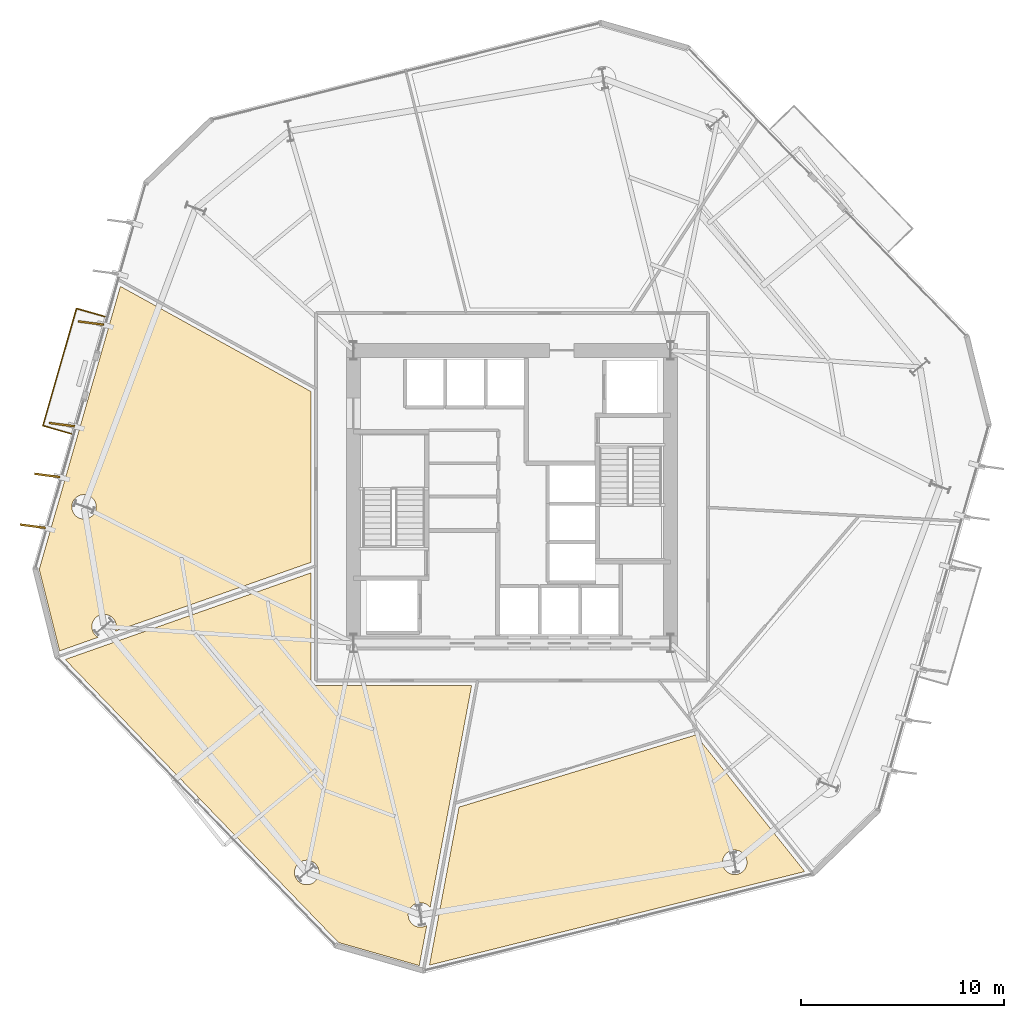
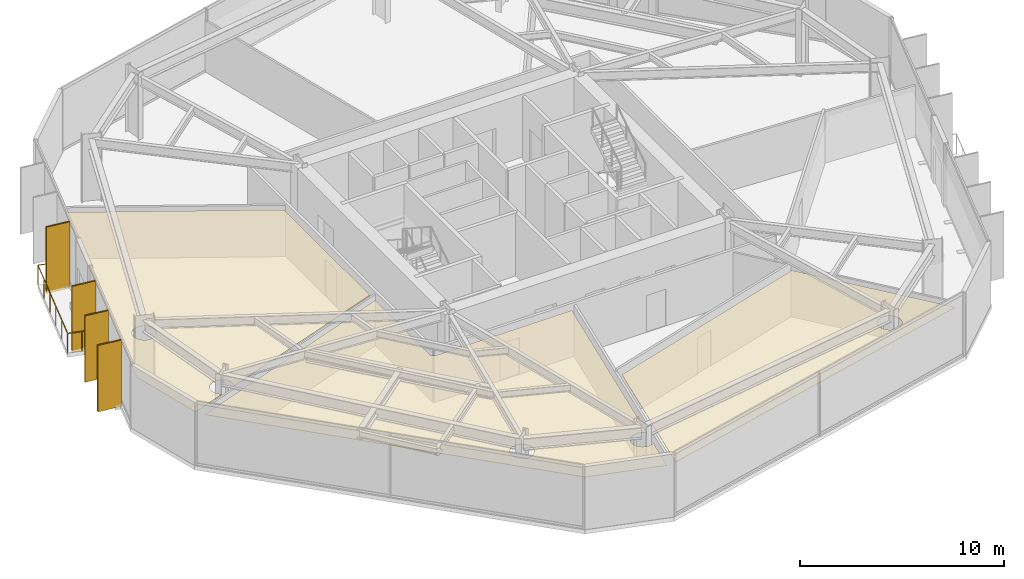
# One storey, part 8 of 10: 7 coverings, 4 shading devices, 1 railing.
"""IFC4 building model written with IfcOpenShell, lengths in metres."""

from ifc_helpers import new_model, si_unit, direction, frame, origin, origin_2d, place, context, subcontext, project, spatial, polyline, rectangle, circle, outline, extrude, material, layer, layer_set, type_object, element, save


model = new_model("IFC4")

# Units and contexts
model_context = context("Model", 3, precision=1e-05, world=origin(), true_north=direction((0.0, 1.0)))
body_context = subcontext(model_context, "Body", "Model", "MODEL_VIEW")
ifc_project = project(units=[si_unit("LENGTHUNIT", "METRE"), si_unit("AREAUNIT", "SQUARE_METRE"), si_unit("VOLUMEUNIT", "CUBIC_METRE"), si_unit("PLANEANGLEUNIT", "RADIAN"), si_unit("MASSUNIT", "GRAM", prefix="KILO")], contexts=[model_context])

# Site, building, storey
site_placement = place(None, origin())
site = spatial("IfcSite", under=ifc_project, at=site_placement, CompositionType="ELEMENT")
building_placement = place(site_placement, origin())
building = spatial("IfcBuilding", under=site, at=building_placement, Name="Kranzbogen Civic Tower", CompositionType="ELEMENT")
storey_placement = place(building_placement, frame((0.0, 0.0, 76.0)))
storey = spatial("IfcBuildingStorey", under=building, at=storey_placement, Name="L18", CompositionType="ELEMENT", Elevation=76.0)

# Coverings
ifc_material_1 = material(Name="Pale Anodised Aluminium", Category="aluminium")
ifc_layer_1 = layer(ifc_material_1, 0.02490234375, Name="Pale Anodised Aluminium")
ifc_layer_set_1 = layer_set([ifc_layer_1], Name="Pale Anodised Aluminium")
covering_type_1 = type_object("IfcCoveringType", Name="Anodised Aluminium Vertical Fin Cladding 25 mm", PredefinedType="CLADDING", material=ifc_layer_set_1)
for number, where, z_axis, x_axis, name in (
    (1, (4.285888671875, 33.548095703125, -0.139892578125), (0.0, 0.0, 1.0), (-0.991553862811, 0.129695555608, 0.0), "L18 vertical fin pale-metal cladding F3-3"),
    (2, (2.85205078125, 28.550048828125, -0.139892578125), (0.0, 0.0, 1.0), (-0.991553862811, 0.129695555608, 0.0), "L18 vertical fin pale-metal cladding F3-5"),
    (3, (2.135009765625, 26.050048828125, -0.139892578125), (0.0, 0.0, 1.0), (-0.991553862811, 0.129695555608, 0.0), "L18 vertical fin pale-metal cladding F3-6"),
    (4, (1.4189453125, 23.551025390625, -0.139892578125), (0.0, 0.0, 1.0), (-0.991553862811, 0.129695555608, 0.0), "L18 vertical fin pale-metal cladding F3-7"),
):
    element("IfcCovering", number, at=place(storey_placement, frame(where, z_axis=z_axis, x_axis=x_axis)), inside=storey, type_object=covering_type_1, Name=name, PredefinedType="CLADDING", context=body_context, shape_type="SweptSolid", body=[
        extrude(rectangle(XDim=1.25, YDim=0.10009765625, at=origin_2d()), origin(), (0.0, 0.0, 1.0), 3.9599609375),
    ])

# Shading devices
ifc_material_2 = material(Name="Anodised Bronze Aluminium", Category="aluminium")
shading_device_type = type_object("IfcShadingDeviceType", Name="Anodised Bronze Vertical Facade Fin 1250x80", PredefinedType="USERDEFINED", material=ifc_material_2)
for number, where, z_axis, x_axis, name in (
    (5, (4.285888671875, 33.548095703125, -0.139892578125), (0.0, 0.0, 1.0), (-0.991553862811, 0.129695555608, 0.0), "L18 vertical exterior shading fin F3-3"),
    (6, (2.85205078125, 28.550048828125, -0.139892578125), (0.0, 0.0, 1.0), (-0.991553862811, 0.129695555608, 0.0), "L18 vertical exterior shading fin F3-5"),
    (7, (2.135009765625, 26.050048828125, -0.139892578125), (0.0, 0.0, 1.0), (-0.991553862811, 0.129695555608, 0.0), "L18 vertical exterior shading fin F3-6"),
    (8, (1.4189453125, 23.551025390625, -0.139892578125), (0.0, 0.0, 1.0), (-0.991553862811, 0.129695555608, 0.0), "L18 vertical exterior shading fin F3-7"),
):
    element("IfcShadingDevice", number, at=place(storey_placement, frame(where, z_axis=z_axis, x_axis=x_axis)), inside=storey, type_object=shading_device_type, Name=name, ObjectType="FIN", PredefinedType="USERDEFINED", context=body_context, shape_type="SweptSolid", body=[
        extrude(rectangle(XDim=1.25, YDim=0.080078125, at=origin_2d()), origin(), (0.0, 0.0, 1.0), 3.9599609375),
    ])

# Railing
railing_type = type_object("IfcRailingType", Name="Cantilevered Balcony Glass and Bronze Balustrade 1200", PredefinedType="BALUSTRADE", material=ifc_material_2)
railing_placement = place(storey_placement, frame((4.968017578125, 33.864990234375, 0.0)))
element("IfcRailing", 9, at=railing_placement, inside=storey, type_object=railing_type, Name="L18 exterior terrace balustrade L18-TB2", PredefinedType="BALUSTRADE", context=body_context, shape_type="SweptSolid", body=[
    extrude(circle(Radius=0.02392578125, at=origin_2d()), frame((0.0, 0.0, 1.17578125), z_axis=(-0.961231187892, 0.275743727805, 0.0), x_axis=(-0.275743727805, -0.961231187892, 0.0)), (0.0, 0.0, 1.0), 1.4501953125),
    extrude(circle(Radius=0.02392578125, at=origin_2d()), frame((-1.39404296875, 0.39990234375, 1.17578125), z_axis=(-0.275704560134, -0.961242422868, 0.0), x_axis=(0.961242422868, -0.275704560134, 0.0)), (0.0, 0.0, 1.0), 5.999267578125),
    extrude(circle(Radius=0.02392578125, at=origin_2d()), frame((-3.048095703125, -5.366943359375, 1.17578125), z_axis=(0.961186557825, -0.275899258892, 0.0), x_axis=(0.275899258892, 0.961186557825, 0.0)), (0.0, 0.0, 1.0), 1.450439453125),
    extrude(circle(Radius=0.02099609375, at=origin_2d()), origin(), (0.0, 0.0, 1.0), 1.15185546875),
    extrude(circle(Radius=0.02099609375, at=origin_2d()), frame((-0.697021484375, 0.199951171875, 0.0)), (0.0, 0.0, 1.0), 1.15185546875),
    extrude(circle(Radius=0.02099609375, at=origin_2d()), frame((-1.39404296875, 0.39990234375, 0.0)), (0.0, 0.0, 1.0), 1.15185546875),
    extrude(circle(Radius=0.02099609375, at=origin_2d()), frame((-1.724853515625, -0.75341796875, 0.0)), (0.0, 0.0, 1.0), 1.15185546875),
    extrude(circle(Radius=0.02099609375, at=origin_2d()), frame((-2.0556640625, -1.90673828125, 0.0)), (0.0, 0.0, 1.0), 1.15185546875),
    extrude(circle(Radius=0.02099609375, at=origin_2d()), frame((-2.386474609375, -3.060302734375, 0.0)), (0.0, 0.0, 1.0), 1.15185546875),
    extrude(circle(Radius=0.02099609375, at=origin_2d()), frame((-2.71728515625, -4.213623046875, 0.0)), (0.0, 0.0, 1.0), 1.15185546875),
    extrude(circle(Radius=0.02099609375, at=origin_2d()), frame((-3.048095703125, -5.366943359375, 0.0)), (0.0, 0.0, 1.0), 1.15185546875),
    extrude(circle(Radius=0.02099609375, at=origin_2d()), frame((-2.35107421875, -5.56689453125, 0.0)), (0.0, 0.0, 1.0), 1.15185546875),
    extrude(circle(Radius=0.02099609375, at=origin_2d()), frame((-1.654052734375, -5.76708984375, 0.0)), (0.0, 0.0, 1.0), 1.15185546875),
])

# Coverings
ifc_material_3 = material(Name="Perforated Acoustic Gypsum Ceiling")
ifc_layer_2 = layer(ifc_material_3, 0.02490234375, Name="Perforated Acoustic Gypsum Ceiling")
ifc_layer_set_2 = layer_set([ifc_layer_2], Name="Perforated Acoustic Gypsum Ceiling")
covering_type_2 = type_object("IfcCoveringType", Name="Perforated Acoustic Mineral Ceiling Tile 25 mm", PredefinedType="CEILING", material=ifc_layer_set_2)
covering_1_placement = place(storey_placement, frame((0.0, 0.0, 2.89990234375)))
element("IfcCovering", 10, at=covering_1_placement, inside=storey, type_object=covering_type_2, Name="L18 Visitor Concierge Foyer acoustic ceiling", PredefinedType="CEILING", context=body_context, shape_type="SweptSolid", body=[
    extrude(outline(polyline([(3.01611328125, 16.993896484375), (15.10498046875, 21.25390625), (15.10498046875, 15.949951171875), (15.10498046875, 15.94091796875), (15.10595703125, 15.93505859375), (15.10693359375, 15.9169921875), (15.10791015625, 15.910888671875), (15.112060546875, 15.89404296875), (15.113037109375, 15.886962890625), (15.117919921875, 15.8701171875), (15.1201171875, 15.864013671875), (15.126953125, 15.847900390625), (15.1298828125, 15.842041015625), (15.137939453125, 15.826904296875), (15.14208984375, 15.821044921875), (15.15087890625, 15.806884765625), (15.155029296875, 15.802001953125), (15.166015625, 15.7880859375), (15.1708984375, 15.782958984375), (15.18310546875, 15.77099609375), (15.18798828125, 15.76611328125), (15.201904296875, 15.7548828125), (15.20703125, 15.7509765625), (15.220947265625, 15.741943359375), (15.22705078125, 15.738037109375), (15.241943359375, 15.72998046875), (15.248046875, 15.72705078125), (15.263916015625, 15.719970703125), (15.27001953125, 15.718017578125), (15.287109375, 15.712890625), (15.2939453125, 15.7119140625), (15.31103515625, 15.7080078125), (15.31689453125, 15.70703125), (15.3349609375, 15.7060546875), (15.341064453125, 15.705078125), (15.35009765625, 15.705078125), (23.012939453125, 15.705078125), (20.971923828125, 4.7900390625), (20.9599609375, 4.805908203125), (20.9208984375, 4.85009765625), (20.876953125, 4.888916015625), (20.8291015625, 4.925048828125), (20.779052734375, 4.955078125), (20.72509765625, 4.97998046875), (20.669921875, 5.0), (20.612060546875, 5.013916015625), (20.553955078125, 5.02294921875), (20.4951171875, 5.02587890625), (20.43603515625, 5.02294921875), (20.3779296875, 5.013916015625), (20.320068359375, 5.0), (20.264892578125, 4.97998046875), (20.2109375, 4.955078125), (20.160888671875, 4.925048828125), (20.113037109375, 4.888916015625), (20.069091796875, 4.85009765625), (20.030029296875, 4.805908203125), (19.993896484375, 4.758056640625), (19.964111328125, 4.7080078125), (19.93896484375, 4.654052734375), (19.9189453125, 4.59912109375), (19.905029296875, 4.541015625), (19.89599609375, 4.48291015625), (19.89306640625, 4.424072265625), (19.89599609375, 4.364990234375), (19.905029296875, 4.306884765625), (19.9189453125, 4.2490234375), (19.93896484375, 4.194091796875), (19.964111328125, 4.139892578125), (19.993896484375, 4.090087890625), (20.030029296875, 4.0419921875), (20.069091796875, 3.998046875), (20.113037109375, 3.958984375), (20.160888671875, 3.923095703125), (20.2109375, 3.89306640625), (20.264892578125, 3.867919921875), (20.320068359375, 3.847900390625), (20.3779296875, 3.833984375), (20.43603515625, 3.824951171875), (20.4951171875, 3.822021484375), (20.553955078125, 3.824951171875), (20.612060546875, 3.833984375), (20.669921875, 3.847900390625), (20.72509765625, 3.867919921875), (20.779052734375, 3.89306640625), (20.80810546875, 3.909912109375), (20.43701171875, 1.930908203125), (16.4619140625, 3.071044921875), (3.01611328125, 16.993896484375)]), holes=[polyline([(15.45703125, 6.285888671875), (15.431884765625, 6.23193359375), (15.402099609375, 6.181884765625), (15.365966796875, 6.134033203125), (15.326904296875, 6.090087890625), (15.282958984375, 6.051025390625), (15.235107421875, 6.014892578125), (15.18505859375, 5.985107421875), (15.131103515625, 5.9599609375), (15.075927734375, 5.93994140625), (15.01806640625, 5.926025390625), (14.9599609375, 5.9169921875), (14.90087890625, 5.9140625), (14.842041015625, 5.9169921875), (14.783935546875, 5.926025390625), (14.72607421875, 5.93994140625), (14.6708984375, 5.9599609375), (14.616943359375, 5.985107421875), (14.56689453125, 6.014892578125), (14.51904296875, 6.051025390625), (14.47509765625, 6.090087890625), (14.43603515625, 6.134033203125), (14.39990234375, 6.181884765625), (14.3701171875, 6.23193359375), (14.344970703125, 6.285888671875), (14.324951171875, 6.341064453125), (14.31103515625, 6.39892578125), (14.302001953125, 6.45703125), (14.299072265625, 6.51611328125), (14.302001953125, 6.574951171875), (14.31103515625, 6.633056640625), (14.324951171875, 6.69091796875), (14.344970703125, 6.74609375), (14.3701171875, 6.800048828125), (14.39990234375, 6.85009765625), (14.43603515625, 6.89794921875), (14.47509765625, 6.94189453125), (14.51904296875, 6.98095703125), (14.56689453125, 7.01708984375), (14.616943359375, 7.047119140625), (14.6708984375, 7.072021484375), (14.72607421875, 7.092041015625), (14.783935546875, 7.10595703125), (14.842041015625, 7.114990234375), (14.90087890625, 7.117919921875), (14.9599609375, 7.114990234375), (15.01806640625, 7.10595703125), (15.075927734375, 7.092041015625), (15.131103515625, 7.072021484375), (15.18505859375, 7.047119140625), (15.235107421875, 7.01708984375), (15.282958984375, 6.98095703125), (15.326904296875, 6.94189453125), (15.365966796875, 6.89794921875), (15.402099609375, 6.85009765625), (15.431884765625, 6.800048828125), (15.45703125, 6.74609375), (15.47705078125, 6.69091796875), (15.490966796875, 6.633056640625), (15.5, 6.574951171875), (15.5029296875, 6.51611328125), (15.5, 6.45703125), (15.490966796875, 6.39892578125), (15.47705078125, 6.341064453125), (15.45703125, 6.285888671875)])]), origin(), (0.0, 0.0, 1.0), 0.025146484375),
])
covering_2_placement = place(storey_placement, frame((0.0, 0.0, 2.89990234375)))
element("IfcCovering", 11, at=covering_2_placement, inside=storey, type_object=covering_type_2, Name="L18 Legal Counsel Office acoustic ceiling", PredefinedType="CEILING", context=body_context, shape_type="SweptSolid", body=[
    extrude(outline(polyline([(34.0380859375, 13.281005859375), (39.40087890625, 6.56103515625), (20.94091796875, 1.958984375), (22.39404296875, 9.73095703125), (34.0380859375, 13.281005859375)]), holes=[polyline([(36.513916015625, 6.781982421875), (36.489013671875, 6.72802734375), (36.458984375, 6.677978515625), (36.423095703125, 6.6298828125), (36.384033203125, 6.5859375), (36.340087890625, 6.547119140625), (36.2919921875, 6.510986328125), (36.241943359375, 6.48095703125), (36.18798828125, 6.4560546875), (36.133056640625, 6.43603515625), (36.074951171875, 6.422119140625), (36.01708984375, 6.4130859375), (35.9580078125, 6.409912109375), (35.89892578125, 6.4130859375), (35.841064453125, 6.422119140625), (35.782958984375, 6.43603515625), (35.72802734375, 6.4560546875), (35.674072265625, 6.48095703125), (35.6240234375, 6.510986328125), (35.575927734375, 6.547119140625), (35.531982421875, 6.5859375), (35.492919921875, 6.6298828125), (35.45703125, 6.677978515625), (35.427001953125, 6.72802734375), (35.402099609375, 6.781982421875), (35.382080078125, 6.8369140625), (35.367919921875, 6.89501953125), (35.35888671875, 6.952880859375), (35.35595703125, 7.011962890625), (35.35888671875, 7.071044921875), (35.367919921875, 7.12890625), (35.382080078125, 7.18701171875), (35.402099609375, 7.241943359375), (35.427001953125, 7.2958984375), (35.45703125, 7.345947265625), (35.492919921875, 7.39404296875), (35.531982421875, 7.43798828125), (35.575927734375, 7.47705078125), (35.6240234375, 7.512939453125), (35.674072265625, 7.54296875), (35.72802734375, 7.568115234375), (35.782958984375, 7.587890625), (35.841064453125, 7.60205078125), (35.89892578125, 7.611083984375), (35.9580078125, 7.614013671875), (36.01708984375, 7.611083984375), (36.074951171875, 7.60205078125), (36.133056640625, 7.587890625), (36.18798828125, 7.568115234375), (36.241943359375, 7.54296875), (36.2919921875, 7.512939453125), (36.340087890625, 7.47705078125), (36.384033203125, 7.43798828125), (36.423095703125, 7.39404296875), (36.458984375, 7.345947265625), (36.489013671875, 7.2958984375), (36.513916015625, 7.241943359375), (36.533935546875, 7.18701171875), (36.548095703125, 7.12890625), (36.556884765625, 7.071044921875), (36.56005859375, 7.011962890625), (36.556884765625, 6.952880859375), (36.548095703125, 6.89501953125), (36.533935546875, 6.8369140625), (36.513916015625, 6.781982421875)])]), origin(), (0.0, 0.0, 1.0), 0.025146484375),
])
covering_3_placement = place(storey_placement, frame((0.0, 0.0, 2.89990234375)))
element("IfcCovering", 12, at=covering_3_placement, inside=storey, type_object=covering_type_2, Name="L18 Civic Reference Library acoustic ceiling", PredefinedType="CEILING", context=body_context, shape_type="SweptSolid", body=[
    extrude(outline(polyline([(5.73193359375, 35.35205078125), (15.10498046875, 30.179931640625), (15.10498046875, 21.77294921875), (5.48388671875, 18.383056640625), (5.48388671875, 18.384033203125), (5.50390625, 18.43896484375), (5.51806640625, 18.4970703125), (5.527099609375, 18.554931640625), (5.530029296875, 18.614013671875), (5.527099609375, 18.673095703125), (5.51806640625, 18.73095703125), (5.50390625, 18.7890625), (5.48388671875, 18.843994140625), (5.458984375, 18.89794921875), (5.428955078125, 18.947998046875), (5.39306640625, 18.99609375), (5.35400390625, 19.0400390625), (5.31005859375, 19.0791015625), (5.261962890625, 19.114990234375), (5.2119140625, 19.14501953125), (5.157958984375, 19.169921875), (5.10302734375, 19.18994140625), (5.044921875, 19.2041015625), (4.987060546875, 19.212890625), (4.927978515625, 19.216064453125), (4.868896484375, 19.212890625), (4.81103515625, 19.2041015625), (4.7529296875, 19.18994140625), (4.697998046875, 19.169921875), (4.64404296875, 19.14501953125), (4.593994140625, 19.114990234375), (4.5458984375, 19.0791015625), (4.501953125, 19.0400390625), (4.462890625, 18.99609375), (4.427001953125, 18.947998046875), (4.39697265625, 18.89794921875), (4.3720703125, 18.843994140625), (4.35205078125, 18.7890625), (4.337890625, 18.73095703125), (4.3291015625, 18.673095703125), (4.325927734375, 18.614013671875), (4.3291015625, 18.554931640625), (4.337890625, 18.4970703125), (4.35205078125, 18.43896484375), (4.3720703125, 18.384033203125), (4.39697265625, 18.330078125), (4.427001953125, 18.280029296875), (4.462890625, 18.23193359375), (4.501953125, 18.18798828125), (4.5458984375, 18.14892578125), (4.593994140625, 18.113037109375), (4.639892578125, 18.0859375), (2.739990234375, 17.416015625), (1.739013671875, 21.429931640625), (5.73193359375, 35.35205078125)]), holes=[polyline([(4.4990234375, 24.27392578125), (4.47412109375, 24.219970703125), (4.444091796875, 24.169921875), (4.407958984375, 24.1220703125), (4.368896484375, 24.077880859375), (4.324951171875, 24.0390625), (4.277099609375, 24.0029296875), (4.22705078125, 23.972900390625), (4.173095703125, 23.947998046875), (4.117919921875, 23.927978515625), (4.06005859375, 23.9140625), (4.001953125, 23.905029296875), (3.943115234375, 23.902099609375), (3.884033203125, 23.905029296875), (3.825927734375, 23.9140625), (3.76806640625, 23.927978515625), (3.712890625, 23.947998046875), (3.658935546875, 23.972900390625), (3.60888671875, 24.0029296875), (3.56103515625, 24.0390625), (3.51708984375, 24.077880859375), (3.47802734375, 24.1220703125), (3.44189453125, 24.169921875), (3.412109375, 24.219970703125), (3.386962890625, 24.27392578125), (3.366943359375, 24.3291015625), (3.35302734375, 24.386962890625), (3.343994140625, 24.445068359375), (3.341064453125, 24.50390625), (3.343994140625, 24.56298828125), (3.35302734375, 24.62109375), (3.366943359375, 24.678955078125), (3.386962890625, 24.73388671875), (3.412109375, 24.7880859375), (3.44189453125, 24.837890625), (3.47802734375, 24.885986328125), (3.51708984375, 24.929931640625), (3.56103515625, 24.968994140625), (3.60888671875, 25.0048828125), (3.658935546875, 25.034912109375), (3.712890625, 25.06005859375), (3.76806640625, 25.080078125), (3.825927734375, 25.093994140625), (3.884033203125, 25.10302734375), (3.943115234375, 25.10595703125), (4.001953125, 25.10302734375), (4.06005859375, 25.093994140625), (4.117919921875, 25.080078125), (4.173095703125, 25.06005859375), (4.22705078125, 25.034912109375), (4.277099609375, 25.0048828125), (4.324951171875, 24.968994140625), (4.368896484375, 24.929931640625), (4.407958984375, 24.885986328125), (4.444091796875, 24.837890625), (4.47412109375, 24.7880859375), (4.4990234375, 24.73388671875), (4.51904296875, 24.678955078125), (4.532958984375, 24.62109375), (4.5419921875, 24.56298828125), (4.544921875, 24.50390625), (4.5419921875, 24.445068359375), (4.532958984375, 24.386962890625), (4.51904296875, 24.3291015625), (4.4990234375, 24.27392578125)])]), origin(), (0.0, 0.0, 1.0), 0.025146484375),
])

save(model, "model.ifc")
